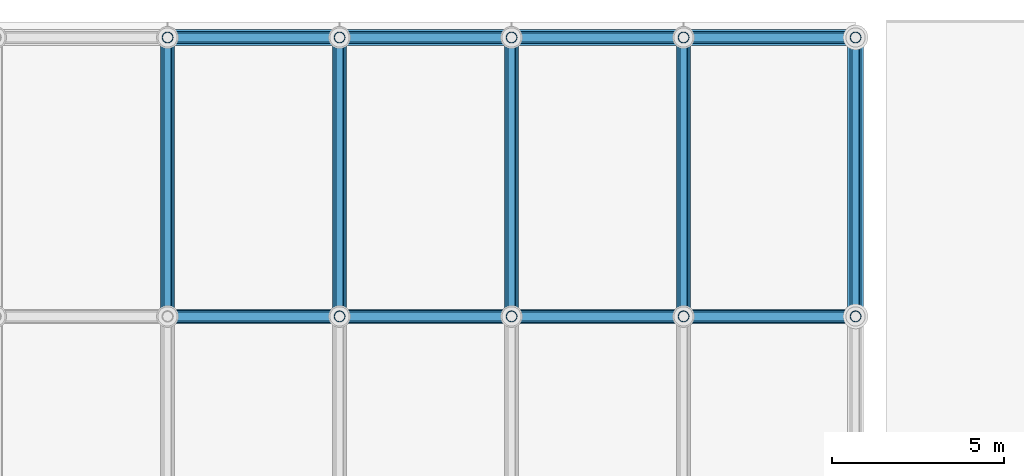
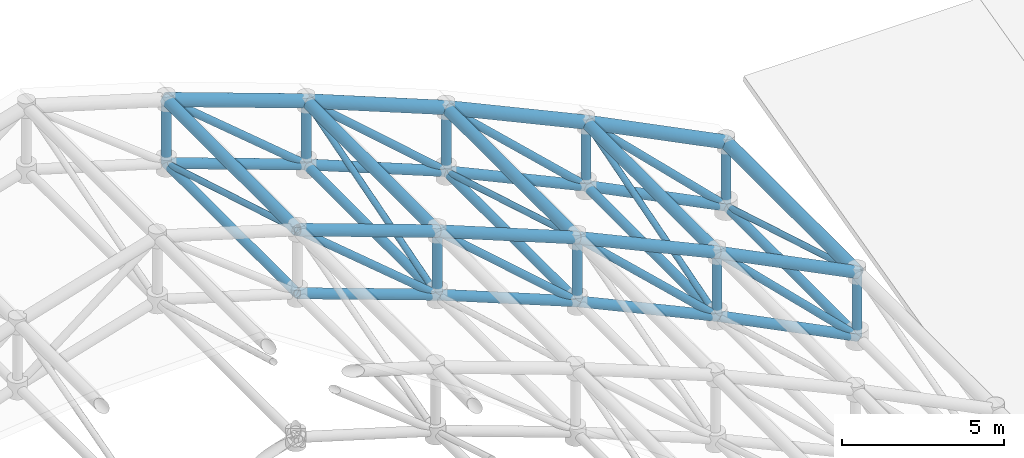
# One storey, part 10 of 11: 48 members.
"""IFC4 building model written with IfcOpenShell, lengths in metres."""

from ifc_helpers import new_model, si_unit, direction, frame, origin, origin_2d, place, context, subcontext, project, spatial, hollow_circle, extrude, material, material_profile, profile_set, type_object, element, save


model = new_model("IFC4")

# Units and contexts
model_context = context("Model", 3, precision=1e-05, world=origin(), true_north=direction((0.0, 1.0)))
body_context = subcontext(model_context, "Body", "Model", "MODEL_VIEW")
ifc_project = project(units=[si_unit("LENGTHUNIT", "METRE"), si_unit("AREAUNIT", "SQUARE_METRE"), si_unit("VOLUMEUNIT", "CUBIC_METRE"), si_unit("PLANEANGLEUNIT", "RADIAN"), si_unit("MASSUNIT", "GRAM", prefix="KILO")], contexts=[model_context])

# Site, building, storey
site_placement = place(None, origin())
site = spatial("IfcSite", under=ifc_project, at=site_placement, CompositionType="ELEMENT")
building_placement = place(site_placement, origin())
building = spatial("IfcBuilding", under=site, at=building_placement, Name="Kazehara Bluff Congress Hotel", CompositionType="ELEMENT")
storey_placement = place(building_placement, frame((0.0, 0.0, 50.39990234375)))
storey = spatial("IfcBuildingStorey", under=building, at=storey_placement, Name="RF", CompositionType="ELEMENT", Elevation=50.39990234375)

# Members
ifc_material_1 = material(Name="Steel STK490", Category="steel")
ifc_material_profile_1 = material_profile(ifc_material_1, hollow_circle(Radius=0.177734375, WallThickness=0.0126953125, at=origin_2d()))
ifc_profile_set_1 = profile_set([ifc_material_profile_1], Name="Steel STK490")
member_type_1 = type_object("IfcMemberType", Name="TP-SF-BC1", PredefinedType="CHORD", material=ifc_profile_set_1)
member_1_placement = place(storey_placement, frame((38.3701171875, 105.449951171875, -22.0), z_axis=(0.940788303939, 0.0, -0.338994641803), x_axis=(0.0, 1.0, 0.0)))
element("IfcMember", 1, at=member_1_placement, inside=storey, type_object=member_type_1, Name="Congress roof space frame bottom arch chord 154", PredefinedType="CHORD", context=body_context, shape_type="SweptSolid", body=[
    extrude(hollow_circle(Radius=0.177734375, WallThickness=0.0126953125, at=origin_2d()), origin(), (0.0, 0.0, 1.0), 5.309326171875),
])
member_2_placement = place(storey_placement, frame((43.364990234375, 105.449951171875, -23.7998046875), z_axis=(0.928351468575, 0.0, -0.371703579207), x_axis=(0.0, 1.0, 0.0)))
element("IfcMember", 2, at=member_2_placement, inside=storey, type_object=member_type_1, Name="Congress roof space frame bottom arch chord 156", PredefinedType="CHORD", context=body_context, shape_type="SweptSolid", body=[
    extrude(hollow_circle(Radius=0.177734375, WallThickness=0.0126953125, at=origin_2d()), origin(), (0.0, 0.0, 1.0), 5.380615234375),
])
member_3_placement = place(storey_placement, frame((48.360107421875, 105.449951171875, -25.7998046875), z_axis=(0.908324180475, 0.0, -0.41826688031), x_axis=(0.0, 1.0, 0.0)))
element("IfcMember", 3, at=member_3_placement, inside=storey, type_object=member_type_1, Name="Congress roof space frame bottom arch chord 158", PredefinedType="CHORD", context=body_context, shape_type="SweptSolid", body=[
    extrude(hollow_circle(Radius=0.177734375, WallThickness=0.0126953125, at=origin_2d()), origin(), (0.0, 0.0, 1.0), 5.4990234375),
])
member_4_placement = place(storey_placement, frame((53.35498046875, 105.449951171875, -28.099853515625), z_axis=(0.894252293271, 0.0, -0.447563220093), x_axis=(0.0, 1.0, 0.0)))
element("IfcMember", 4, at=member_4_placement, inside=storey, type_object=member_type_1, Name="Congress roof space frame bottom arch chord 160", PredefinedType="CHORD", context=body_context, shape_type="SweptSolid", body=[
    extrude(hollow_circle(Radius=0.177734375, WallThickness=0.0126953125, at=origin_2d()), origin(), (0.0, 0.0, 1.0), 5.585693359375),
])
member_5_placement = place(storey_placement, frame((38.3701171875, 113.550048828125, -22.0), z_axis=(0.940788303939, 0.0, -0.338994641803), x_axis=(0.0, 1.0, 0.0)))
element("IfcMember", 5, at=member_5_placement, inside=storey, type_object=member_type_1, Name="Congress roof space frame bottom arch chord 174", PredefinedType="CHORD", context=body_context, shape_type="SweptSolid", body=[
    extrude(hollow_circle(Radius=0.177734375, WallThickness=0.0126953125, at=origin_2d()), origin(), (0.0, 0.0, 1.0), 5.309326171875),
])
member_6_placement = place(storey_placement, frame((43.364990234375, 113.550048828125, -23.7998046875), z_axis=(0.928351468575, 0.0, -0.371703579207), x_axis=(0.0, 1.0, 0.0)))
element("IfcMember", 6, at=member_6_placement, inside=storey, type_object=member_type_1, Name="Congress roof space frame bottom arch chord 176", PredefinedType="CHORD", context=body_context, shape_type="SweptSolid", body=[
    extrude(hollow_circle(Radius=0.177734375, WallThickness=0.0126953125, at=origin_2d()), origin(), (0.0, 0.0, 1.0), 5.380615234375),
])
member_7_placement = place(storey_placement, frame((48.360107421875, 113.550048828125, -25.7998046875), z_axis=(0.908324180475, 0.0, -0.41826688031), x_axis=(0.0, 1.0, 0.0)))
element("IfcMember", 7, at=member_7_placement, inside=storey, type_object=member_type_1, Name="Congress roof space frame bottom arch chord 178", PredefinedType="CHORD", context=body_context, shape_type="SweptSolid", body=[
    extrude(hollow_circle(Radius=0.177734375, WallThickness=0.0126953125, at=origin_2d()), origin(), (0.0, 0.0, 1.0), 5.4990234375),
])
member_8_placement = place(storey_placement, frame((53.35498046875, 113.550048828125, -28.099853515625), z_axis=(0.894252293271, 0.0, -0.447563220093), x_axis=(0.0, 1.0, 0.0)))
element("IfcMember", 8, at=member_8_placement, inside=storey, type_object=member_type_1, Name="Congress roof space frame bottom arch chord 180", PredefinedType="CHORD", context=body_context, shape_type="SweptSolid", body=[
    extrude(hollow_circle(Radius=0.177734375, WallThickness=0.0126953125, at=origin_2d()), origin(), (0.0, 0.0, 1.0), 5.585693359375),
])
ifc_material_2 = material(Name="Steel STK490", Category="steel")
ifc_material_profile_2 = material_profile(ifc_material_2, hollow_circle(Radius=0.1591796875, WallThickness=0.01025390625, at=origin_2d()))
ifc_profile_set_2 = profile_set([ifc_material_profile_2], Name="Steel STK490")
member_type_2 = type_object("IfcMemberType", Name="TP-SF-BC2", PredefinedType="CHORD", material=ifc_profile_set_2)
for number, where, z_axis, x_axis, name in (
    (9, (38.3701171875, 105.449951171875, -22.0), (0.0, 1.0, 0.0), (-1.0, 0.0, 0.0), "Congress roof space frame bottom longitudinal chord 292"),
    (10, (43.364990234375, 105.449951171875, -23.7998046875), (0.0, 1.0, 0.0), (-1.0, 0.0, 0.0), "Congress roof space frame bottom longitudinal chord 308"),
    (11, (48.360107421875, 105.449951171875, -25.7998046875), (0.0, 1.0, 0.0), (-1.0, 0.0, 0.0), "Congress roof space frame bottom longitudinal chord 324"),
    (12, (53.35498046875, 105.449951171875, -28.099853515625), (0.0, 1.0, 0.0), (-1.0, 0.0, 0.0), "Congress roof space frame bottom longitudinal chord 340"),
    (13, (58.35009765625, 105.449951171875, -30.599853515625), (0.0, 1.0, 0.0), (-1.0, 0.0, 0.0), "Congress roof space frame bottom longitudinal chord 356"),
):
    element("IfcMember", number, at=place(storey_placement, frame(where, z_axis=z_axis, x_axis=x_axis)), inside=storey, type_object=member_type_2, Name=name, PredefinedType="CHORD", context=body_context, shape_type="SweptSolid", body=[
        extrude(hollow_circle(Radius=0.1591796875, WallThickness=0.01025390625, at=origin_2d()), origin(), (0.0, 0.0, 1.0), 8.10009765625),
    ])
ifc_material_3 = material(Name="Steel STK490", Category="steel")
ifc_material_profile_3 = material_profile(ifc_material_3, hollow_circle(Radius=0.1337890625, WallThickness=0.00927734375, at=origin_2d()))
ifc_profile_set_3 = profile_set([ifc_material_profile_3], Name="Steel STK490")
member_type_3 = type_object("IfcMemberType", Name="TP-SF-DG1", PredefinedType="BRACE", material=ifc_profile_set_3)
member_9_placement = place(storey_placement, frame((38.3701171875, 105.449951171875, -19.599853515625), z_axis=(0.765383445182, 0.0, -0.643574534799), x_axis=(0.0, 1.0, 0.0)))
element("IfcMember", 14, at=member_9_placement, inside=storey, type_object=member_type_3, Name="Congress roof space frame arch web diagonal 532", PredefinedType="BRACE", context=body_context, shape_type="SweptSolid", body=[
    extrude(hollow_circle(Radius=0.1337890625, WallThickness=0.00927734375, at=origin_2d()), origin(), (0.0, 0.0, 1.0), 6.52587890625),
])
member_10_placement = place(storey_placement, frame((43.364990234375, 105.449951171875, -21.39990234375), z_axis=(0.750400574845, 0.0, -0.660983341146), x_axis=(0.0, 1.0, 0.0)))
element("IfcMember", 15, at=member_10_placement, inside=storey, type_object=member_type_3, Name="Congress roof space frame arch web diagonal 533", PredefinedType="BRACE", context=body_context, shape_type="SweptSolid", body=[
    extrude(hollow_circle(Radius=0.1337890625, WallThickness=0.00927734375, at=origin_2d()), origin(), (0.0, 0.0, 1.0), 6.656494140625),
])
member_11_placement = place(storey_placement, frame((48.360107421875, 105.449951171875, -23.39990234375), z_axis=(0.728280456647, 0.0, -0.685279195997), x_axis=(0.0, 1.0, 0.0)))
element("IfcMember", 16, at=member_11_placement, inside=storey, type_object=member_type_3, Name="Congress roof space frame arch web diagonal 534", PredefinedType="BRACE", context=body_context, shape_type="SweptSolid", body=[
    extrude(hollow_circle(Radius=0.1337890625, WallThickness=0.00927734375, at=origin_2d()), origin(), (0.0, 0.0, 1.0), 6.8583984375),
])
member_12_placement = place(storey_placement, frame((53.35498046875, 105.449951171875, -25.699951171875), z_axis=(0.713877868379, 0.0, -0.700270225726), x_axis=(0.0, 1.0, 0.0)))
element("IfcMember", 17, at=member_12_placement, inside=storey, type_object=member_type_3, Name="Congress roof space frame arch web diagonal 535", PredefinedType="BRACE", context=body_context, shape_type="SweptSolid", body=[
    extrude(hollow_circle(Radius=0.1337890625, WallThickness=0.00927734375, at=origin_2d()), origin(), (0.0, 0.0, 1.0), 6.9970703125),
])
member_13_placement = place(storey_placement, frame((38.3701171875, 113.550048828125, -19.599853515625), z_axis=(0.765383445182, 0.0, -0.643574534799), x_axis=(0.0, 1.0, 0.0)))
element("IfcMember", 18, at=member_13_placement, inside=storey, type_object=member_type_3, Name="Congress roof space frame arch web diagonal 542", PredefinedType="BRACE", context=body_context, shape_type="SweptSolid", body=[
    extrude(hollow_circle(Radius=0.1337890625, WallThickness=0.00927734375, at=origin_2d()), origin(), (0.0, 0.0, 1.0), 6.52587890625),
])
member_14_placement = place(storey_placement, frame((43.364990234375, 113.550048828125, -21.39990234375), z_axis=(0.750400574845, 0.0, -0.660983341146), x_axis=(0.0, 1.0, 0.0)))
element("IfcMember", 19, at=member_14_placement, inside=storey, type_object=member_type_3, Name="Congress roof space frame arch web diagonal 543", PredefinedType="BRACE", context=body_context, shape_type="SweptSolid", body=[
    extrude(hollow_circle(Radius=0.1337890625, WallThickness=0.00927734375, at=origin_2d()), origin(), (0.0, 0.0, 1.0), 6.656494140625),
])
member_15_placement = place(storey_placement, frame((48.360107421875, 113.550048828125, -23.39990234375), z_axis=(0.728280456647, 0.0, -0.685279195997), x_axis=(0.0, 1.0, 0.0)))
element("IfcMember", 20, at=member_15_placement, inside=storey, type_object=member_type_3, Name="Congress roof space frame arch web diagonal 544", PredefinedType="BRACE", context=body_context, shape_type="SweptSolid", body=[
    extrude(hollow_circle(Radius=0.1337890625, WallThickness=0.00927734375, at=origin_2d()), origin(), (0.0, 0.0, 1.0), 6.8583984375),
])
member_16_placement = place(storey_placement, frame((53.35498046875, 113.550048828125, -25.699951171875), z_axis=(0.713877868379, 0.0, -0.700270225726), x_axis=(0.0, 1.0, 0.0)))
element("IfcMember", 21, at=member_16_placement, inside=storey, type_object=member_type_3, Name="Congress roof space frame arch web diagonal 545", PredefinedType="BRACE", context=body_context, shape_type="SweptSolid", body=[
    extrude(hollow_circle(Radius=0.1337890625, WallThickness=0.00927734375, at=origin_2d()), origin(), (0.0, 0.0, 1.0), 6.9970703125),
])
ifc_material_4 = material(Name="Steel STK490", Category="steel")
ifc_material_profile_4 = material_profile(ifc_material_4, hollow_circle(Radius=0.108154296875, WallThickness=0.00830078125, at=origin_2d()))
ifc_profile_set_4 = profile_set([ifc_material_profile_4], Name="Steel STK490")
member_type_4 = type_object("IfcMemberType", Name="TP-SF-DG2", PredefinedType="BRACE", material=ifc_profile_set_4)
for number, where, z_axis, x_axis, name in (
    (22, (38.3701171875, 105.449951171875, -19.599853515625), (0.0, 0.958794322656, -0.284101120804), (-1.0, 0.0, 0.0), "Congress roof space frame transverse web diagonal 601"),
    (23, (43.364990234375, 105.449951171875, -23.7998046875), (0.0, 0.958802194146, 0.284074554477), (-1.0, 0.0, 0.0), "Congress roof space frame transverse web diagonal 609"),
    (24, (48.360107421875, 105.449951171875, -23.39990234375), (0.0, 0.958802194146, -0.284074554477), (-1.0, 0.0, 0.0), "Congress roof space frame transverse web diagonal 617"),
    (25, (53.35498046875, 105.449951171875, -28.099853515625), (0.0, 0.958802194146, 0.284074554477), (-1.0, 0.0, 0.0), "Congress roof space frame transverse web diagonal 625"),
    (26, (58.35009765625, 105.449951171875, -28.199951171875), (0.0, 0.958802194146, -0.284074554477), (-1.0, 0.0, 0.0), "Congress roof space frame transverse web diagonal 633"),
):
    element("IfcMember", number, at=place(storey_placement, frame(where, z_axis=z_axis, x_axis=x_axis)), inside=storey, type_object=member_type_4, Name=name, PredefinedType="BRACE", context=body_context, shape_type="SweptSolid", body=[
        extrude(hollow_circle(Radius=0.108154296875, WallThickness=0.00830078125, at=origin_2d()), origin(), (0.0, 0.0, 1.0), 8.4482421875),
    ])
ifc_material_5 = material(Name="Steel STK490", Category="steel")
ifc_material_profile_5 = material_profile(ifc_material_5, hollow_circle(Radius=0.1591796875, WallThickness=0.01025390625, at=origin_2d()))
ifc_profile_set_5 = profile_set([ifc_material_profile_5], Name="Steel STK490")
member_type_5 = type_object("IfcMemberType", Name="TP-SF-PS1", PredefinedType="POST", material=ifc_profile_set_5)
member_17_placement = place(storey_placement, frame((38.3701171875, 113.550048828125, -22.0), z_axis=(0.0, 0.0, 1.0), x_axis=(1.0, 0.0, 0.0)))
element("IfcMember", 27, at=member_17_placement, inside=storey, type_object=member_type_5, Name="Congress roof space frame vertical post 419", PredefinedType="POST", context=body_context, shape_type="SweptSolid", body=[
    extrude(hollow_circle(Radius=0.1591796875, WallThickness=0.01025390625, at=origin_2d()), origin(), (0.0, 0.0, 1.0), 2.400146484375),
])
for number, where, z_axis, x_axis, name in (
    (28, (43.364990234375, 105.449951171875, -23.7998046875), (0.0, 0.0, 1.0), (1.0, 0.0, 0.0), "Congress roof space frame vertical post 427"),
    (29, (43.364990234375, 113.550048828125, -23.7998046875), (0.0, 0.0, 1.0), (1.0, 0.0, 0.0), "Congress roof space frame vertical post 428"),
    (30, (48.360107421875, 105.449951171875, -25.7998046875), (0.0, 0.0, 1.0), (1.0, 0.0, 0.0), "Congress roof space frame vertical post 436"),
    (31, (48.360107421875, 113.550048828125, -25.7998046875), (0.0, 0.0, 1.0), (1.0, 0.0, 0.0), "Congress roof space frame vertical post 437"),
    (32, (53.35498046875, 105.449951171875, -28.099853515625), (0.0, 0.0, 1.0), (1.0, 0.0, 0.0), "Congress roof space frame vertical post 445"),
    (33, (53.35498046875, 113.550048828125, -28.099853515625), (0.0, 0.0, 1.0), (1.0, 0.0, 0.0), "Congress roof space frame vertical post 446"),
    (34, (58.35009765625, 105.449951171875, -30.599853515625), (0.0, 0.0, 1.0), (1.0, 0.0, 0.0), "Congress roof space frame vertical post 454"),
    (35, (58.35009765625, 113.550048828125, -30.599853515625), (0.0, 0.0, 1.0), (1.0, 0.0, 0.0), "Congress roof space frame vertical post 455"),
):
    element("IfcMember", number, at=place(storey_placement, frame(where, z_axis=z_axis, x_axis=x_axis)), inside=storey, type_object=member_type_5, Name=name, PredefinedType="POST", context=body_context, shape_type="SweptSolid", body=[
        extrude(hollow_circle(Radius=0.1591796875, WallThickness=0.01025390625, at=origin_2d()), origin(), (0.0, 0.0, 1.0), 2.39990234375),
    ])
ifc_material_6 = material(Name="Steel STK490", Category="steel")
ifc_material_profile_6 = material_profile(ifc_material_6, hollow_circle(Radius=0.203125, WallThickness=0.0126953125, at=origin_2d()))
ifc_profile_set_6 = profile_set([ifc_material_profile_6], Name="Steel STK490")
member_type_6 = type_object("IfcMemberType", Name="TP-SF-TC1", PredefinedType="CHORD", material=ifc_profile_set_6)
member_18_placement = place(storey_placement, frame((38.3701171875, 105.449951171875, -19.599853515625), z_axis=(0.940773637944, 0.0, -0.339035340562), x_axis=(0.0, 1.0, 0.0)))
element("IfcMember", 36, at=member_18_placement, inside=storey, type_object=member_type_6, Name="Congress roof space frame top arch chord 153", PredefinedType="CHORD", context=body_context, shape_type="SweptSolid", body=[
    extrude(hollow_circle(Radius=0.203125, WallThickness=0.0126953125, at=origin_2d()), origin(), (0.0, 0.0, 1.0), 5.309326171875),
])
member_19_placement = place(storey_placement, frame((43.364990234375, 105.449951171875, -21.39990234375), z_axis=(0.928351468575, 0.0, -0.371703579207), x_axis=(0.0, 1.0, 0.0)))
element("IfcMember", 37, at=member_19_placement, inside=storey, type_object=member_type_6, Name="Congress roof space frame top arch chord 155", PredefinedType="CHORD", context=body_context, shape_type="SweptSolid", body=[
    extrude(hollow_circle(Radius=0.203125, WallThickness=0.0126953125, at=origin_2d()), origin(), (0.0, 0.0, 1.0), 5.380615234375),
])
member_20_placement = place(storey_placement, frame((48.360107421875, 105.449951171875, -23.39990234375), z_axis=(0.908324180475, 0.0, -0.41826688031), x_axis=(0.0, 1.0, 0.0)))
element("IfcMember", 38, at=member_20_placement, inside=storey, type_object=member_type_6, Name="Congress roof space frame top arch chord 157", PredefinedType="CHORD", context=body_context, shape_type="SweptSolid", body=[
    extrude(hollow_circle(Radius=0.203125, WallThickness=0.0126953125, at=origin_2d()), origin(), (0.0, 0.0, 1.0), 5.4990234375),
])
member_21_placement = place(storey_placement, frame((53.35498046875, 105.449951171875, -25.699951171875), z_axis=(0.894252293271, 0.0, -0.447563220093), x_axis=(0.0, 1.0, 0.0)))
element("IfcMember", 39, at=member_21_placement, inside=storey, type_object=member_type_6, Name="Congress roof space frame top arch chord 159", PredefinedType="CHORD", context=body_context, shape_type="SweptSolid", body=[
    extrude(hollow_circle(Radius=0.203125, WallThickness=0.0126953125, at=origin_2d()), origin(), (0.0, 0.0, 1.0), 5.585693359375),
])
for number, where, z_axis, x_axis, name in (
    (40, (38.3701171875, 105.449951171875, -19.599853515625), (0.0, 1.0, 0.0), (-1.0, 0.0, 0.0), "Congress roof space frame top longitudinal chord 291"),
    (41, (43.364990234375, 105.449951171875, -21.39990234375), (0.0, 1.0, 0.0), (-1.0, 0.0, 0.0), "Congress roof space frame top longitudinal chord 307"),
    (42, (48.360107421875, 105.449951171875, -23.39990234375), (0.0, 1.0, 0.0), (-1.0, 0.0, 0.0), "Congress roof space frame top longitudinal chord 323"),
    (43, (53.35498046875, 105.449951171875, -25.699951171875), (0.0, 1.0, 0.0), (-1.0, 0.0, 0.0), "Congress roof space frame top longitudinal chord 339"),
):
    element("IfcMember", number, at=place(storey_placement, frame(where, z_axis=z_axis, x_axis=x_axis)), inside=storey, type_object=member_type_6, Name=name, PredefinedType="CHORD", context=body_context, shape_type="SweptSolid", body=[
        extrude(hollow_circle(Radius=0.203125, WallThickness=0.0126953125, at=origin_2d()), origin(), (0.0, 0.0, 1.0), 8.10009765625),
    ])
ifc_material_7 = material(Name="Steel STK490", Category="steel")
ifc_material_profile_7 = material_profile(ifc_material_7, hollow_circle(Radius=0.228515625, WallThickness=0.013916015625, at=origin_2d()))
ifc_profile_set_7 = profile_set([ifc_material_profile_7], Name="Steel STK490")
member_type_7 = type_object("IfcMemberType", Name="TP-SF-TC2", PredefinedType="CHORD", material=ifc_profile_set_7)
member_22_placement = place(storey_placement, frame((38.3701171875, 113.550048828125, -19.599853515625), z_axis=(0.940773637944, 0.0, -0.339035340562), x_axis=(0.0, 1.0, 0.0)))
element("IfcMember", 44, at=member_22_placement, inside=storey, type_object=member_type_7, Name="Congress roof space frame top arch chord 173", PredefinedType="CHORD", context=body_context, shape_type="SweptSolid", body=[
    extrude(hollow_circle(Radius=0.228515625, WallThickness=0.013916015625, at=origin_2d()), origin(), (0.0, 0.0, 1.0), 5.309326171875),
])
member_23_placement = place(storey_placement, frame((43.364990234375, 113.550048828125, -21.39990234375), z_axis=(0.928351468575, 0.0, -0.371703579207), x_axis=(0.0, 1.0, 0.0)))
element("IfcMember", 45, at=member_23_placement, inside=storey, type_object=member_type_7, Name="Congress roof space frame top arch chord 175", PredefinedType="CHORD", context=body_context, shape_type="SweptSolid", body=[
    extrude(hollow_circle(Radius=0.228515625, WallThickness=0.013916015625, at=origin_2d()), origin(), (0.0, 0.0, 1.0), 5.380615234375),
])
member_24_placement = place(storey_placement, frame((48.360107421875, 113.550048828125, -23.39990234375), z_axis=(0.908324180475, 0.0, -0.41826688031), x_axis=(0.0, 1.0, 0.0)))
element("IfcMember", 46, at=member_24_placement, inside=storey, type_object=member_type_7, Name="Congress roof space frame top arch chord 177", PredefinedType="CHORD", context=body_context, shape_type="SweptSolid", body=[
    extrude(hollow_circle(Radius=0.228515625, WallThickness=0.013916015625, at=origin_2d()), origin(), (0.0, 0.0, 1.0), 5.4990234375),
])
member_25_placement = place(storey_placement, frame((53.35498046875, 113.550048828125, -25.699951171875), z_axis=(0.894252293271, 0.0, -0.447563220093), x_axis=(0.0, 1.0, 0.0)))
element("IfcMember", 47, at=member_25_placement, inside=storey, type_object=member_type_7, Name="Congress roof space frame top arch chord 179", PredefinedType="CHORD", context=body_context, shape_type="SweptSolid", body=[
    extrude(hollow_circle(Radius=0.228515625, WallThickness=0.013916015625, at=origin_2d()), origin(), (0.0, 0.0, 1.0), 5.585693359375),
])
member_26_placement = place(storey_placement, frame((58.35009765625, 105.449951171875, -28.199951171875), z_axis=(0.0, 1.0, 0.0), x_axis=(-1.0, 0.0, 0.0)))
element("IfcMember", 48, at=member_26_placement, inside=storey, type_object=member_type_7, Name="Congress roof space frame top longitudinal chord 355", PredefinedType="CHORD", context=body_context, shape_type="SweptSolid", body=[
    extrude(hollow_circle(Radius=0.228515625, WallThickness=0.013916015625, at=origin_2d()), origin(), (0.0, 0.0, 1.0), 8.10009765625),
])

save(model, "model.ifc")
